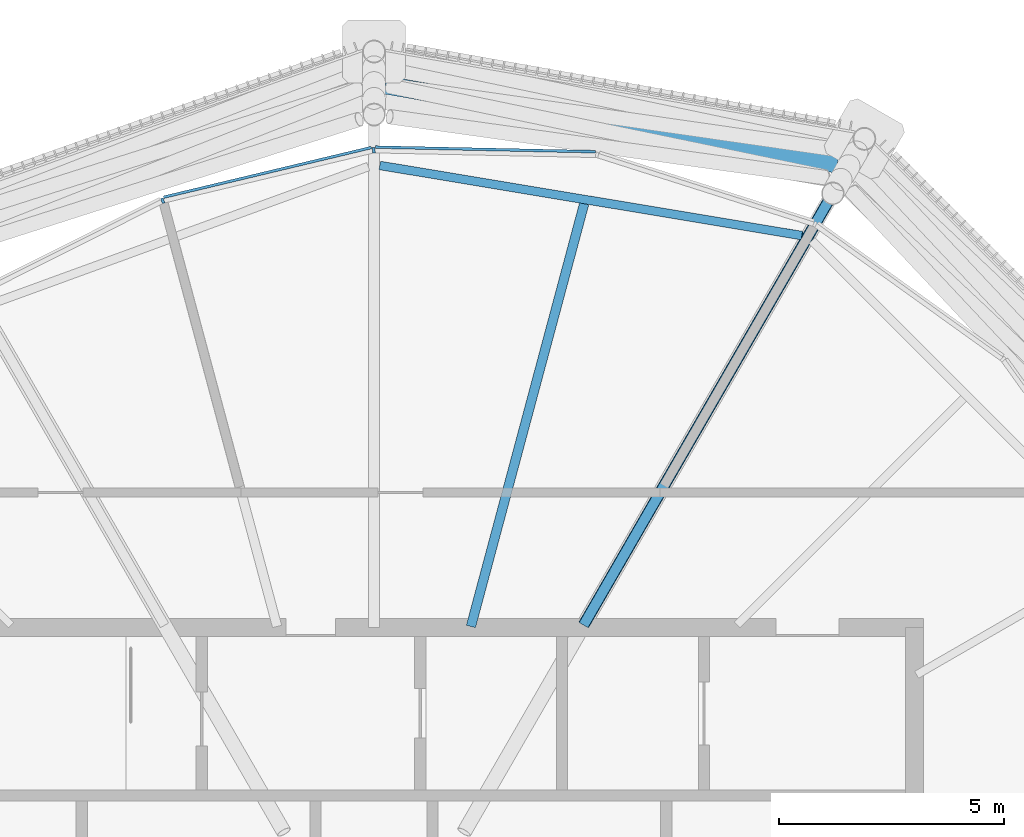
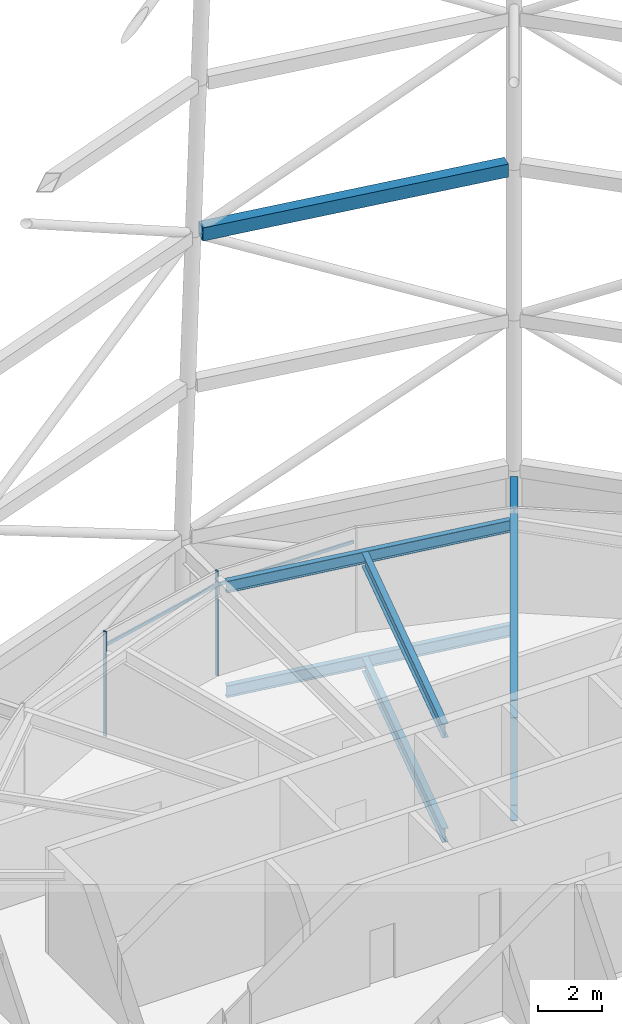
# One storey, part 58 of 71: 7 beams, 4 members, 1 element without a shape of its own.
"""IFC4 building model written with IfcOpenShell, lengths in metres."""

from ifc_helpers import new_model, si_unit, direction, frame, origin, origin_2d, place, context, subcontext, project, spatial, rectangle, hollow_rectangle, i_section, extrude, material, material_profile, profile_set, type_object, element, aggregate, save


model = new_model("IFC4")

# Units and contexts
model_context = context("Model", 3, precision=1e-05, world=origin(), true_north=direction((0.0, 1.0)))
body_context = subcontext(model_context, "Body", "Model", "MODEL_VIEW")
ifc_project = project(units=[si_unit("LENGTHUNIT", "METRE"), si_unit("AREAUNIT", "SQUARE_METRE"), si_unit("VOLUMEUNIT", "CUBIC_METRE"), si_unit("PLANEANGLEUNIT", "RADIAN"), si_unit("MASSUNIT", "GRAM", prefix="KILO")], contexts=[model_context])

# Site, building, storey
site_placement = place(None, origin())
site = spatial("IfcSite", under=ifc_project, at=site_placement, CompositionType="ELEMENT")
building_placement = place(site_placement, origin())
building = spatial("IfcBuilding", under=site, at=building_placement, Name="Rimbun Link Towers", CompositionType="ELEMENT")
storey_placement = place(building_placement, frame((0.0, 0.0, 267.60009765625)))
storey = spatial("IfcBuildingStorey", under=building, at=storey_placement, Name="L65", CompositionType="ELEMENT", Elevation=267.60009765625)

# Curtain wall, members
ifc_material_1 = material(Name="Aluminium 6063-T6 louvre wall", Category="aluminium")
curtain_wall_type = type_object("IfcCurtainWallType", Name="CW6 plant floor louvre wall", PredefinedType="NOTDEFINED", material=ifc_material_1)
curtain_wall_placement = place(storey_placement, origin())
curtain_wall = element("IfcCurtainWall", 1, at=curtain_wall_placement, inside=storey, type_object=curtain_wall_type, Name="CW6 L65 T2", PredefinedType="NOTDEFINED")
ifc_material_2 = material(Name="Aluminium 6063-T6", Category="aluminium")
ifc_material_profile_1 = material_profile(ifc_material_2, rectangle(XDim=0.1201171875, YDim=0.06005859375, at=origin_2d()), Name="MULLION 60X120")
ifc_profile_set_1 = profile_set([ifc_material_profile_1], Name="Aluminium 6063-T6")
member_type_1 = type_object("IfcMemberType", Name="CW6 mullion 60X120", PredefinedType="MULLION", material=ifc_profile_set_1)
member_1_placement = place(storey_placement, frame((31.74365234375, 18.60009765625, 0.0), z_axis=(0.0, 0.0, 1.0), x_axis=(-0.10664066069, 0.99429762621, 0.0)))
member_1 = element("IfcMember", 2, at=member_1_placement, type_object=member_type_1, Name="CW6 mullion", PredefinedType="MULLION", context=body_context, shape_type="SweptSolid", body=[
    extrude(rectangle(XDim=0.1201171875, YDim=0.06005859375, at=origin_2d()), origin(), (0.0, 0.0, 1.0), 4.0),
])
member_2_placement = place(storey_placement, frame((27.060791015625, 17.480224609375, 0.0), z_axis=(0.0, 0.0, 1.0), x_axis=(-0.342961619779, 0.939349417075, 0.0)))
member_2 = element("IfcMember", 3, at=member_2_placement, type_object=member_type_1, Name="CW6 mullion", PredefinedType="MULLION", context=body_context, shape_type="SweptSolid", body=[
    extrude(rectangle(XDim=0.1201171875, YDim=0.06005859375, at=origin_2d()), origin(), (0.0, 0.0, 1.0), 4.0),
])
ifc_material_3 = material(Name="Aluminium 6063-T6", Category="aluminium")
ifc_material_profile_2 = material_profile(ifc_material_3, rectangle(XDim=0.06005859375, YDim=0.1201171875, at=origin_2d()), Name="TRANSOM 60X120")
ifc_profile_set_2 = profile_set([ifc_material_profile_2], Name="Aluminium 6063-T6")
member_type_2 = type_object("IfcMemberType", Name="CW6 transom 60X120", PredefinedType="USERDEFINED", material=ifc_profile_set_2)
member_3_placement = place(storey_placement, frame((31.78271484375, 18.669921875, 3.39990234375), z_axis=(0.999777224398, -0.021106908234, 0.0), x_axis=(0.021106908234, 0.999777224398, 0.0)))
member_3 = element("IfcMember", 4, at=member_3_placement, type_object=member_type_2, Name="CW6 transom", ObjectType="TRANSOM", PredefinedType="USERDEFINED", context=body_context, shape_type="SweptSolid", body=[
    extrude(rectangle(XDim=0.06005859375, YDim=0.1201171875, at=origin_2d()), origin(), (0.0, 0.0, 1.0), 4.881103515625),
])
member_4_placement = place(storey_placement, frame((27.080322265625, 17.557373046875, 3.39990234375), z_axis=(0.972575852524, 0.232585921944, 0.0), x_axis=(-0.232585921944, 0.972575852524, 0.0)))
member_4 = element("IfcMember", 5, at=member_4_placement, type_object=member_type_2, Name="CW6 transom", ObjectType="TRANSOM", PredefinedType="USERDEFINED", context=body_context, shape_type="SweptSolid", body=[
    extrude(rectangle(XDim=0.06005859375, YDim=0.1201171875, at=origin_2d()), origin(), (0.0, 0.0, 1.0), 4.740234375),
])
aggregate(curtain_wall, [member_1, member_2, member_3, member_4])

# Beams
ifc_material_4 = material(Name="Steel S355J2", Category="steel")
ifc_material_profile_3 = material_profile(ifc_material_4, hollow_rectangle(XDim=0.39990234375, YDim=0.5, WallThickness=0.02001953125, at=origin_2d()), Name="Crown frame ring beam BOX 400x500x20")
ifc_profile_set_3 = profile_set([ifc_material_profile_3], Name="Steel S355J2")
beam_type_1 = type_object("IfcBeamType", Name="Crown frame ring beam BOX 400x500x20", PredefinedType="BEAM", material=ifc_profile_set_3)
beam_1_placement = place(storey_placement, frame((42.0341796875, 18.289794921875, 16.0), z_axis=(-0.985015507756, 0.172465792204, 0.0), x_axis=(-0.172465792204, -0.985015507756, 0.0)))
element("IfcBeam", 6, at=beam_1_placement, inside=storey, type_object=beam_type_1, Name="CROWN FRAME ring beam T2 3-00", PredefinedType="BEAM", context=body_context, shape_type="SweptSolid", body=[
    extrude(hollow_rectangle(XDim=0.39990234375, YDim=0.5, WallThickness=0.02001953125, at=origin_2d()), origin(), (0.0, 0.0, 1.0), 10.1865234375),
])
ifc_material_5 = material(Name="Steel S355J2", Category="steel")
ifc_material_profile_4 = material_profile(ifc_material_5, i_section(OverallWidth=0.18994140625, OverallDepth=0.453369140625, WebThickness=0.008544921875, FlangeThickness=0.0126953125, at=origin_2d()), Name="UB 457x191x67")
ifc_profile_set_4 = profile_set([ifc_material_profile_4], Name="Steel S355J2")
beam_type_2 = type_object("IfcBeamType", Name="UB 457x191x67", PredefinedType="BEAM", material=ifc_profile_set_4)
beam_2_placement = place(storey_placement, frame((41.260498046875, 16.702392578125, -0.4267578125), z_axis=(-0.986461824262, 0.163991064613, 0.0), x_axis=(-0.163991064613, -0.986461824262, 0.0)))
element("IfcBeam", 7, at=beam_2_placement, inside=storey, type_object=beam_type_2, Name="Edge beam T2 L65 01-03", PredefinedType="BEAM", context=body_context, shape_type="SweptSolid", body=[
    extrude(i_section(OverallWidth=0.18994140625, OverallDepth=0.453369140625, WebThickness=0.008544921875, FlangeThickness=0.0126953125, at=origin_2d()), origin(), (0.0, 0.0, 1.0), 9.511474609375),
])
beam_3_placement = place(storey_placement, frame((41.246826171875, 16.70458984375, 3.5732421875), z_axis=(-0.986460537084, 0.163998807239, 0.0), x_axis=(-0.163998807239, -0.986460537084, 0.0)))
element("IfcBeam", 8, at=beam_3_placement, inside=storey, type_object=beam_type_2, Name="Edge beam T2 L65 01-03", PredefinedType="BEAM", context=body_context, shape_type="SweptSolid", body=[
    extrude(i_section(OverallWidth=0.18994140625, OverallDepth=0.453369140625, WebThickness=0.008544921875, FlangeThickness=0.0126953125, at=origin_2d()), origin(), (0.0, 0.0, 1.0), 9.497802734375),
])
ifc_material_6 = material(Name="Steel S355J2", Category="steel")
ifc_material_profile_5 = material_profile(ifc_material_6, i_section(OverallWidth=0.209228515625, OverallDepth=0.533203125, WebThickness=0.010009765625, FlangeThickness=0.015625, at=origin_2d()), Name="UB 533x210x92")
ifc_profile_set_5 = profile_set([ifc_material_profile_5], Name="Steel S355J2")
beam_type_3 = type_object("IfcBeamType", Name="UB 533x210x92", PredefinedType="BEAM", material=ifc_profile_set_5)
for number, where, z_axis, x_axis, name in (
    (9, (33.901123046875, 8.028076171875, -0.466552734375), (0.258806020362, 0.965929316164, 0.0), (-0.965929316164, 0.258806020362, 0.0), "Radial beam T2 L65 02"),
    (10, (33.901123046875, 8.028076171875, 3.533447265625), (0.258806020362, 0.965929316164, 0.0), (-0.965929316164, 0.258806020362, 0.0), "Radial beam T2 L65 02"),
):
    element("IfcBeam", number, at=place(storey_placement, frame(where, z_axis=z_axis, x_axis=x_axis)), inside=storey, type_object=beam_type_3, Name=name, PredefinedType="BEAM", context=body_context, shape_type="SweptSolid", body=[
        extrude(i_section(OverallWidth=0.209228515625, OverallDepth=0.533203125, WebThickness=0.010009765625, FlangeThickness=0.015625, at=origin_2d()), origin(), (0.0, 0.0, 1.0), 9.713623046875),
    ])
ifc_material_7 = material(Name="Steel S355J2", Category="steel")
ifc_material_profile_6 = material_profile(ifc_material_7, i_section(OverallWidth=0.2275390625, OverallDepth=0.6025390625, WebThickness=0.010498046875, FlangeThickness=0.014892578125, at=origin_2d()), Name="UB 610x229x101")
ifc_profile_set_6 = profile_set([ifc_material_profile_6], Name="Steel S355J2")
beam_type_4 = type_object("IfcBeamType", Name="UB 610x229x101", PredefinedType="BEAM", material=ifc_profile_set_6)
beam_4_placement = place(storey_placement, frame((36.402099609375, 8.057861328125, -0.50146484375), z_axis=(0.500019200167, 0.866014318279, 0.0), x_axis=(-0.866014318279, 0.500019200167, 0.0)))
element("IfcBeam", 11, at=beam_4_placement, inside=storey, type_object=beam_type_4, Name="Radial beam T2 L65 01", PredefinedType="BEAM", context=body_context, shape_type="SweptSolid", body=[
    extrude(i_section(OverallWidth=0.2275390625, OverallDepth=0.6025390625, WebThickness=0.010498046875, FlangeThickness=0.014892578125, at=origin_2d()), origin(), (0.0, 0.0, 1.0), 11.96435546875),
])
ifc_material_8 = material(Name="Steel S355J2", Category="steel")
ifc_material_profile_7 = material_profile(ifc_material_8, i_section(OverallWidth=0.253662109375, OverallDepth=0.68359375, WebThickness=0.012451171875, FlangeThickness=0.01904296875, at=origin_2d()), Name="UB 686x254x140")
ifc_profile_set_7 = profile_set([ifc_material_profile_7], Name="Steel S355J2")
beam_type_5 = type_object("IfcBeamType", Name="UB 686x254x140", PredefinedType="BEAM", material=ifc_profile_set_7)
beam_5_placement = place(storey_placement, frame((36.406005859375, 8.064208984375, 3.458251953125), z_axis=(0.499990440921, 0.866030922651, 0.0), x_axis=(-0.866030922651, 0.499990440921, 0.0)))
element("IfcBeam", 12, at=beam_5_placement, inside=storey, type_object=beam_type_5, Name="Radial beam T2 L65 01", PredefinedType="BEAM", context=body_context, shape_type="SweptSolid", body=[
    extrude(i_section(OverallWidth=0.253662109375, OverallDepth=0.68359375, WebThickness=0.012451171875, FlangeThickness=0.01904296875, at=origin_2d()), origin(), (0.0, 0.0, 1.0), 12.197021484375),
])

save(model, "model.ifc")
